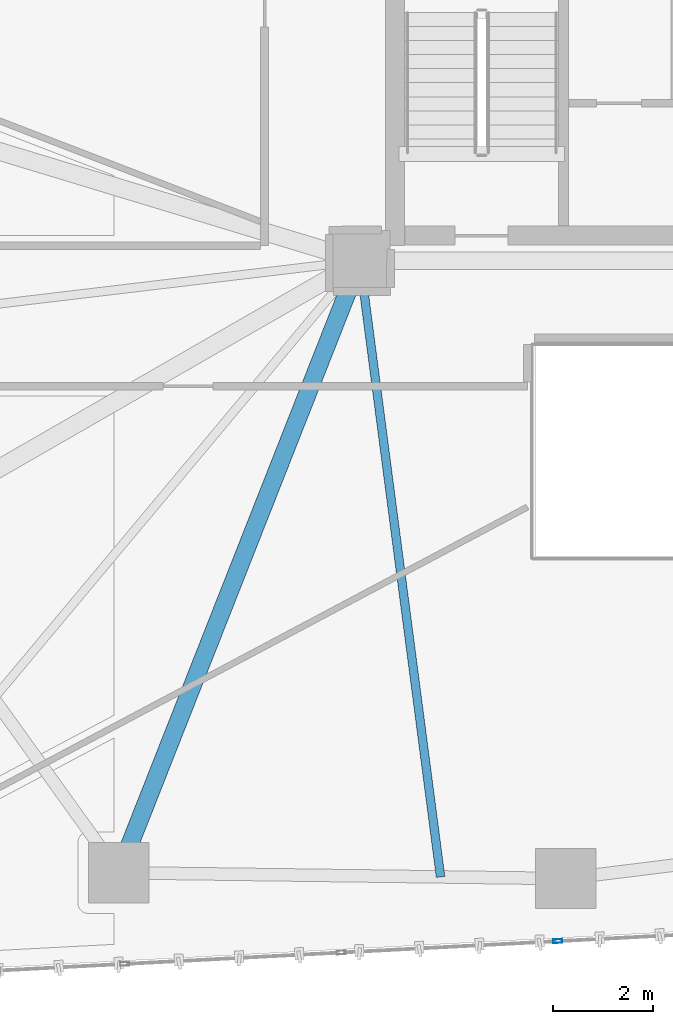
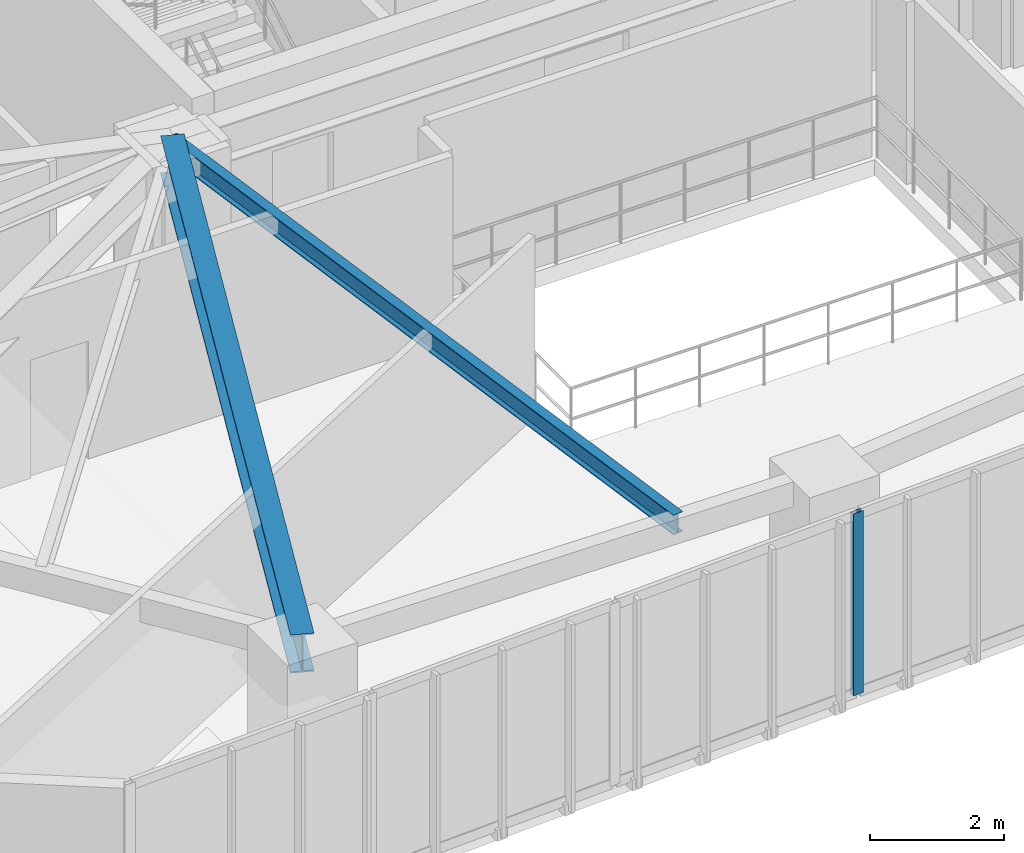
# One storey, part 5 of 23: 2 beams, 1 member, 1 element without a shape of its own.
"""IFC4 building model written with IfcOpenShell, lengths in metres."""

from ifc_helpers import new_model, si_unit, direction, frame, origin, origin_2d, place, context, subcontext, project, spatial, hollow_rectangle, i_section, extrude, source, transform, mapped, material, layer, layer_set, material_profile, profile_set, type_object, type_shapes, element, aggregate, save


model = new_model("IFC4")

# Units and contexts
model_context = context("Model", 3, precision=1e-05, world=origin(), true_north=direction((0.0, 1.0)))
body_context = subcontext(model_context, "Body", "Model", "MODEL_VIEW")
ifc_project = project(units=[si_unit("LENGTHUNIT", "METRE"), si_unit("AREAUNIT", "SQUARE_METRE"), si_unit("VOLUMEUNIT", "CUBIC_METRE"), si_unit("PLANEANGLEUNIT", "RADIAN"), si_unit("MASSUNIT", "GRAM", prefix="KILO")], contexts=[model_context])

# Site, building, storey
site_placement = place(None, origin())
site = spatial("IfcSite", under=ifc_project, at=site_placement, CompositionType="ELEMENT")
building_placement = place(site_placement, origin())
building = spatial("IfcBuilding", under=site, at=building_placement, Name="Talar Marvaseh", CompositionType="ELEMENT")
storey_placement = place(building_placement, frame((0.0, 0.0, 100.199951171875)))
storey = spatial("IfcBuildingStorey", under=building, at=storey_placement, Name="L25", CompositionType="ELEMENT", Elevation=100.199951171875)

# Beams
ifc_material_1 = material(Name="Steel S355", Category="steel")
ifc_material_profile_1 = material_profile(ifc_material_1, i_section(OverallWidth=0.35498046875, OverallDepth=0.695068359375, WebThickness=0.015380859375, FlangeThickness=0.02490234375, at=origin_2d()), Name="W690x217")
ifc_profile_set_1 = profile_set([ifc_material_profile_1], Name="Steel S355")
beam_type_1 = type_object("IfcBeamType", Name="Zone 2 Radial Floor Girder W690x217", PredefinedType="BEAM", material=ifc_profile_set_1)
beam_1_placement = place(storey_placement, frame((13.89111328125, 13.299072265625, 2.962646484375), z_axis=(0.366683712786, 0.930345664136, 0.0), x_axis=(-0.930345664136, 0.366683712786, 0.0)))
element("IfcBeam", 1, at=beam_1_placement, inside=storey, type_object=beam_type_1, Name="L25 Zone 2 Radial Floor Girder W690x217", PredefinedType="BEAM", context=body_context, shape_type="SweptSolid", body=[
    extrude(i_section(OverallWidth=0.35498046875, OverallDepth=0.695068359375, WebThickness=0.015380859375, FlangeThickness=0.02490234375, at=origin_2d()), origin(), (0.0, 0.0, 1.0), 13.114501953125),
])
ifc_material_profile_2 = material_profile(ifc_material_1, i_section(OverallWidth=0.172119140625, OverallDepth=0.35791015625, WebThickness=0.0078125, FlangeThickness=0.01318359375, at=origin_2d()), Name="W360x57")
ifc_profile_set_2 = profile_set([ifc_material_profile_2], Name="Steel S355")
beam_type_2 = type_object("IfcBeamType", Name="Zone 2 Secondary Floor Joist W360x57", PredefinedType="JOIST", material=ifc_profile_set_2)
beam_2_placement = place(storey_placement, frame((20.30908203125, 13.215576171875, 3.131103515625), z_axis=(-0.129880008292, 0.991529718892, 0.0), x_axis=(-0.991529718892, -0.129880008292, 0.0)))
element("IfcBeam", 2, at=beam_2_placement, inside=storey, type_object=beam_type_2, Name="L25 Zone 2 Secondary Floor Joist W360x57", PredefinedType="JOIST", context=body_context, shape_type="SweptSolid", body=[
    extrude(i_section(OverallWidth=0.172119140625, OverallDepth=0.35791015625, WebThickness=0.0078125, FlangeThickness=0.01318359375, at=origin_2d()), origin(), (0.0, 0.0, 1.0), 12.389404296875),
])

# Curtain wall, member
ifc_material_2 = material(Name="Architectural Aluminium", Category="aluminium")
ifc_layer = layer(ifc_material_2, 0.199951171875)
ifc_layer_set = layer_set([ifc_layer], Name="Architectural Aluminium")
curtain_wall_type = type_object("IfcCurtainWallType", Name="Unitised Acoustic Library Curtain Wall Z2", PredefinedType="NOTDEFINED", material=ifc_layer_set)
curtain_wall_placement = place(storey_placement, origin())
curtain_wall = element("IfcCurtainWall", 3, at=curtain_wall_placement, inside=storey, type_object=curtain_wall_type, Name="L25 Unitised Acoustic Library Curtain Wall Z2", PredefinedType="NOTDEFINED")
ifc_material_profile_3 = material_profile(ifc_material_2, hollow_rectangle(XDim=0.074951171875, YDim=0.179931640625, WallThickness=0.0048828125, at=origin_2d()), Name="RHS180x75x5")
ifc_profile_set_3 = profile_set([ifc_material_profile_3], Name="Architectural Aluminium")
member_type = type_object("IfcMemberType", Name="Unitised Curtain Wall Standard Mullion RHS180x75x5", PredefinedType="MULLION", material=ifc_profile_set_3)
shared_shape = source(origin(), body_context, "Body", "SweptSolid", [
    extrude(hollow_rectangle(XDim=0.074951171875, YDim=0.179931640625, WallThickness=0.0048828125, at=origin_2d()), origin(), (0.0, 0.0, 1.0), 3.31005859375),
])
type_shapes(member_type, [shared_shape])
member_placement = place(storey_placement, frame((22.645263671875, 11.935791015625, 0.0), z_axis=(0.0, 0.0, 1.0), x_axis=(0.052489394294, -0.998621481587, 0.0)))
member = element("IfcMember", 4, at=member_placement, type_object=member_type, Name="CW-Z2 mullion 3", PredefinedType="MULLION", context=body_context, shape_type="MappedRepresentation", body=[
    mapped(shared_shape, transform((0.0, 0.0, 0.0), x_axis=(1.0, 0.0, 0.0), y_axis=(0.0, 1.0, 0.0), z_axis=(0.0, 0.0, 1.0), scale=1.0)),
])
aggregate(curtain_wall, [member])

save(model, "model.ifc")
